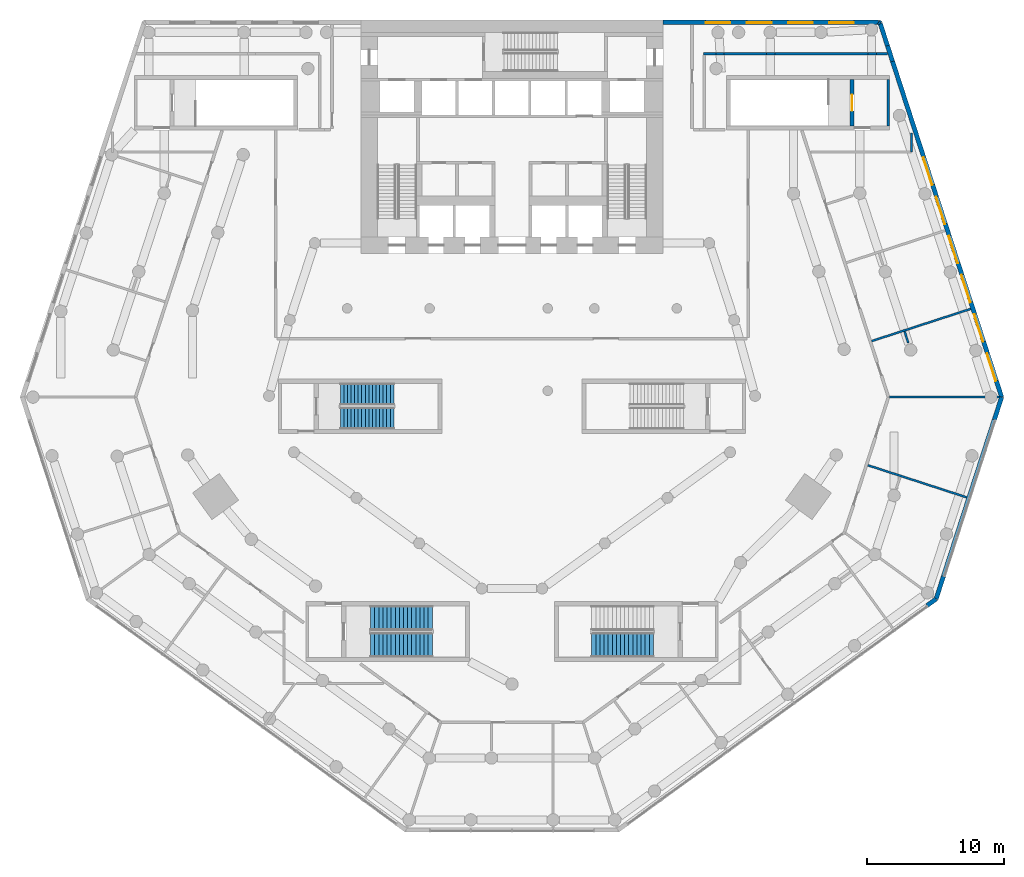
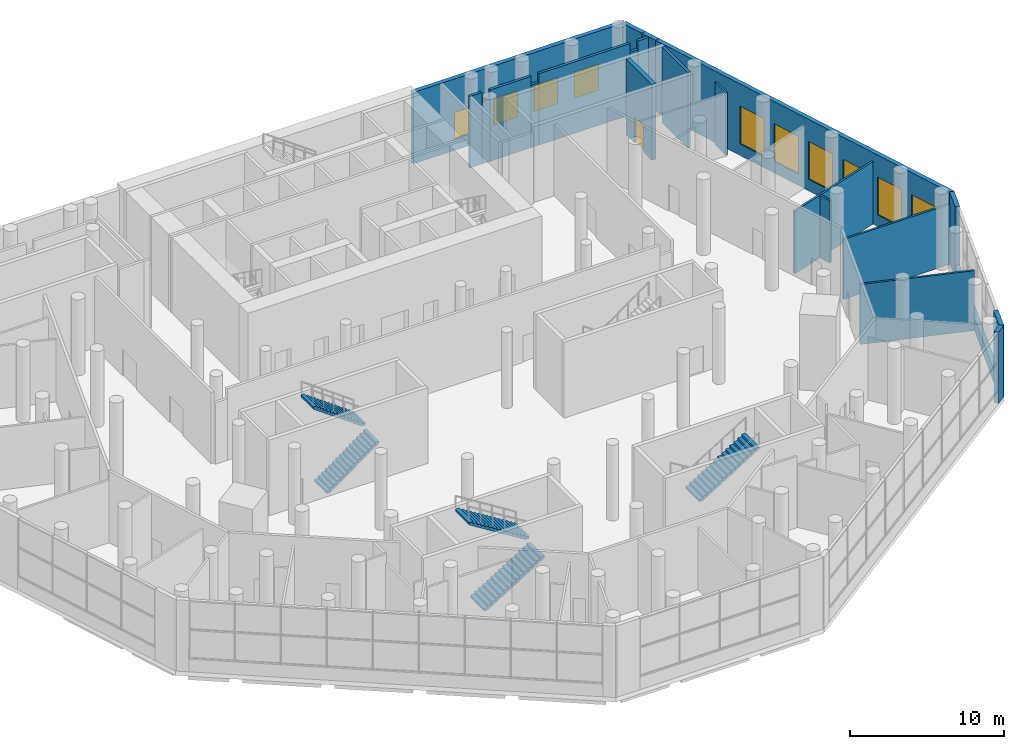
# One storey, part 15 of 19: 23 walls, 10 windows, 5 stair flights, 1 door, 11 openings, 3 elements without a shape of their own.
"""IFC4 building model written with IfcOpenShell, lengths in metres."""

import ifcopenshell
import ifcopenshell.guid

model = None  # the IFC model being written
_history = None  # IfcOwnerHistory: only IFC2X3 demands one
_inside = {}  # id of a spatial element -> (the spatial element, [elements in it])
_under = {}  # id of a project, library or spatial element -> (it, [spatial elements below it])
_declared = {}  # id of a project -> (the project, [libraries it declares])
_typed = {}  # id of a type object -> (the type object, [elements of that type])
_made_of = {}  # id of a material, layer set ... -> (it, [elements and type objects made of it])


def new_model(schema):
    """Start an empty IFC model of exactly this schema.

    Asked for "IFC4X3", IfcOpenShell would pick the latest addendum, in which some entities
    have other attributes; the version numbers below select the first issue.
    IFC2X3 requires an IfcOwnerHistory on every rooted entity: one is made here for all.
    """
    global model, _history
    if schema == "IFC4X3":
        model = ifcopenshell.file(schema_version=(4, 3, 0, 0))
    else:
        model = ifcopenshell.file(schema=schema)
    _inside.clear()
    _under.clear()
    _declared.clear()
    _typed.clear()
    _made_of.clear()
    _history = None
    if model.schema == "IFC2X3":
        org = make("IfcOrganization", Name="unknown")
        user = make(
            "IfcPersonAndOrganization",
            ThePerson=make("IfcPerson", FamilyName="unknown"),
            TheOrganization=org,
        )
        app = make(
            "IfcApplication",
            ApplicationDeveloper=org,
            Version="unknown",
            ApplicationFullName="unknown",
            ApplicationIdentifier="unknown",
        )
        _history = make(
            "IfcOwnerHistory",
            OwningUser=user,
            OwningApplication=app,
            ChangeAction="ADDED",
            CreationDate=0,
        )
    return model


def make(cls, **values):
    """One entity of the class cls with the attributes given. An attribute that is None is left unset."""
    return model.create_entity(
        cls, **{name: value for name, value in values.items() if value is not None}
    )


def rooted(cls, **values):
    """An entity with a GlobalId (a new one), such as an element, a storey or a relation."""
    return make(cls, GlobalId=ifcopenshell.guid.new(), OwnerHistory=_history, **values)


def si_unit(unit_type, name, prefix=None):
    """IfcSIUnit, for example si_unit("LENGTHUNIT", "METRE", prefix="MILLI")."""
    return make("IfcSIUnit", UnitType=unit_type, Prefix=prefix, Name=name)


def assignment(units):
    """IfcUnitAssignment: the units of a project."""
    return None if units is None else make("IfcUnitAssignment", Units=units)


def point(xyz):
    """IfcCartesianPoint."""
    return None if xyz is None else make("IfcCartesianPoint", Coordinates=xyz)


def direction(xyz):
    """IfcDirection."""
    return None if xyz is None else make("IfcDirection", DirectionRatios=xyz)


def frame(location, z_axis=None, x_axis=None):
    """IfcAxis2Placement3D, a coordinate frame: its origin and axes. An axis left out is left unset."""
    return make(
        "IfcAxis2Placement3D",
        Location=point(location),
        Axis=direction(z_axis),
        RefDirection=direction(x_axis),
    )


def frame_2d(location, x_axis=None):
    """IfcAxis2Placement2D, a coordinate frame in the plane: its origin and x axis."""
    return make(
        "IfcAxis2Placement2D", Location=point(location), RefDirection=direction(x_axis)
    )


def origin():
    """The frame at (0, 0, 0) with its axes left unset."""
    return frame((0.0, 0.0, 0.0))


def place(relative_to, where):
    """IfcLocalPlacement: puts the frame where relative to a parent placement (None: the world)."""
    return make(
        "IfcLocalPlacement", PlacementRelTo=relative_to, RelativePlacement=where
    )


def context(
    kind, dimensions, precision=None, world=None, true_north=None, identifier=None
):
    """IfcGeometricRepresentationContext, for example the 3D "Model" context."""
    return make(
        "IfcGeometricRepresentationContext",
        ContextIdentifier=identifier,
        ContextType=kind,
        CoordinateSpaceDimension=dimensions,
        Precision=precision,
        WorldCoordinateSystem=world,
        TrueNorth=true_north,
    )


def subcontext(parent, identifier, kind, view, scale=None):
    """IfcGeometricRepresentationSubContext, for example "Body" below "Model"."""
    return make(
        "IfcGeometricRepresentationSubContext",
        ContextIdentifier=identifier,
        ContextType=kind,
        ParentContext=parent,
        TargetScale=scale,
        TargetView=view,
    )


def project(units=None, contexts=None):
    """IfcProject with its units and contexts."""
    return rooted(
        "IfcProject",
        Name="project",
        RepresentationContexts=contexts,
        UnitsInContext=assignment(units),
    )


def spatial(cls, under=None, at=None, **own):
    """A site, building, storey or space (cls), placed at a placement, below another one or the project."""
    s = rooted(cls, ObjectPlacement=at, **own)
    if under is not None:
        _under.setdefault(under.id(), (under, []))[1].append(s)
    return s


def polyline(points):
    """IfcPolyline through the points."""
    return make("IfcPolyline", Points=[point(p) for p in points])


def profile(cls, at=None, kind="AREA", **sizes):
    """A parametric profile (cls). Its sizes go by their IFC names, for example OverallWidth=200.0."""
    return make(cls, ProfileType=kind, Position=at, **sizes)


def rectangle(**sizes):
    """IfcRectangleProfileDef."""
    return profile("IfcRectangleProfileDef", **sizes)


def outline(outer, holes=None, kind="AREA"):
    """IfcArbitraryClosedProfileDef: a profile drawn as a closed curve; with holes, ...WithVoids."""
    if holes is None:
        return make("IfcArbitraryClosedProfileDef", ProfileType=kind, OuterCurve=outer)
    return make(
        "IfcArbitraryProfileDefWithVoids",
        ProfileType=kind,
        OuterCurve=outer,
        InnerCurves=holes,
    )


def extrude(swept, where, along, depth):
    """IfcExtrudedAreaSolid: the profile swept, set in the frame where, extruded along a direction by depth."""
    return make(
        "IfcExtrudedAreaSolid",
        SweptArea=swept,
        Position=where,
        ExtrudedDirection=direction(along),
        Depth=depth,
    )


def shape(context_of_items, identifier, shape_type, items):
    """IfcShapeRepresentation: the items that make up one representation, for example the "Body"."""
    return make(
        "IfcShapeRepresentation",
        ContextOfItems=context_of_items,
        RepresentationIdentifier=identifier,
        RepresentationType=shape_type,
        Items=items,
    )


def material(Name=None, Category=None):
    """IfcMaterial."""
    return make("IfcMaterial", Name=Name, Category=Category)


def layer(
    of_material, thickness, ventilated=None, Name=None, Category=None, Priority=None
):
    """IfcMaterialLayer: one layer of a wall or slab, of a material (None: an air gap)."""
    return make(
        "IfcMaterialLayer",
        Material=of_material,
        LayerThickness=thickness,
        IsVentilated=ventilated,
        Name=Name,
        Category=Category,
        Priority=Priority,
    )


def layer_set(layers, Name=None):
    """IfcMaterialLayerSet."""
    return make("IfcMaterialLayerSet", MaterialLayers=layers, LayerSetName=Name)


def made_of(thing, what):
    """Note that an element or type object is made of a material, layer set ...; save() writes the relation."""
    if what is not None:
        _made_of.setdefault(what.id(), (what, []))[1].append(thing)
    return thing


def type_object(cls, material=None, **own):
    """A type object (cls), such as IfcWallType, which elements share."""
    return made_of(rooted(cls, **own), material)


def element(
    cls,
    number,
    at=None,
    inside=None,
    cuts=None,
    type_object=None,
    material=None,
    context=None,
    identifier="Body",
    shape_type=None,
    held_by="IfcProductDefinitionShape",
    body=None,
    shapes=None,
    **own,
):
    """One element of the class cls, such as IfcWall. Its Tag is "e" and its number.

    at: its placement. inside: the storey or other place that contains it. cuts: it is an
    opening in that element (IfcRelVoidsElement). A single representation is given by context,
    identifier, shape_type and body (its items); several are given by shapes. held_by: the class
    of the entity that holds the representations. save() writes the other relations.
    """
    e = rooted(cls, Tag="e%d" % number, ObjectPlacement=at, **own)
    if body is not None:
        shapes = [shape(context, identifier, shape_type, body)]
    if shapes is not None:
        e.Representation = make(held_by, Representations=shapes)
    if inside is not None:
        _inside.setdefault(inside.id(), (inside, []))[1].append(e)
    if cuts is not None:
        rooted(
            "IfcRelVoidsElement", RelatingBuildingElement=cuts, RelatedOpeningElement=e
        )
    if type_object is not None:
        _typed.setdefault(type_object.id(), (type_object, []))[1].append(e)
    return made_of(e, material)


def fill(opening, filler):
    """IfcRelFillsElement: the door or window that sits in an opening."""
    return rooted(
        "IfcRelFillsElement",
        RelatingOpeningElement=opening,
        RelatedBuildingElement=filler,
    )


def aggregate(whole, parts):
    """IfcRelAggregates: a whole, such as a stair, and the parts it consists of."""
    return rooted("IfcRelAggregates", RelatingObject=whole, RelatedObjects=parts)


def save(model, path):
    """Write the relations noted so far, then the file.

    IfcRelAggregates (storeys below a building ...), IfcRelContainedInSpatialStructure (elements
    in a storey), IfcRelDefinesByType, IfcRelAssociatesMaterial and IfcRelDeclares: one each for
    every whole, place, type object, material and project.
    """
    for whole, parts in _under.values():
        aggregate(whole, parts)
    for where, things in _inside.values():
        rooted(
            "IfcRelContainedInSpatialStructure",
            RelatedElements=things,
            RelatingStructure=where,
        )
    for kind, things in _typed.values():
        rooted("IfcRelDefinesByType", RelatedObjects=things, RelatingType=kind)
    for what, things in _made_of.values():
        rooted("IfcRelAssociatesMaterial", RelatedObjects=things, RelatingMaterial=what)
    for by, libraries in _declared.values():
        rooted("IfcRelDeclares", RelatingContext=by, RelatedDefinitions=libraries)
    model.write(path)


model = new_model("IFC4")

# Units and contexts
model_context = context("Model", 3, precision=1e-05, world=origin(), true_north=direction((0.0, 1.0)))
body_context = subcontext(model_context, "Body", "Model", "MODEL_VIEW")
ifc_project = project(units=[si_unit("LENGTHUNIT", "METRE"), si_unit("AREAUNIT", "SQUARE_METRE"), si_unit("VOLUMEUNIT", "CUBIC_METRE"), si_unit("PLANEANGLEUNIT", "RADIAN"), si_unit("MASSUNIT", "GRAM", prefix="KILO")], contexts=[model_context])

# Site, building, storey
site_placement = place(None, origin())
site = spatial("IfcSite", under=ifc_project, at=site_placement, CompositionType="ELEMENT")
building_placement = place(site_placement, origin())
building = spatial("IfcBuilding", under=site, at=building_placement, Name="White Candle Pilgrim Tower", CompositionType="ELEMENT")
storey_placement = place(building_placement, frame((0.0, 0.0, 23.0)))
storey = spatial("IfcBuildingStorey", under=building, at=storey_placement, Name="L03", CompositionType="ELEMENT", Elevation=23.0)

# Walls
ifc_material_1 = material(Name="Autoclaved aerated block D500, plastered")
ifc_layer_1 = layer(ifc_material_1, 0.199951171875)
ifc_layer_set_1 = layer_set([ifc_layer_1], Name="Compartment wall 200 mm REI 240")
wall_type_1 = type_object("IfcWallType", Name="Compartment wall 200 mm REI 240", PredefinedType="PARTITIONING", material=ifc_layer_set_1)
wall_1_placement = place(storey_placement, frame((97.326904296875, 85.550048828125, 0.0), z_axis=(0.0, 0.0, 1.0), x_axis=(-1.0, 0.0, 0.0)))
element("IfcWall", 1, at=wall_1_placement, inside=storey, type_object=wall_type_1, Name="WL-L03-P059", PredefinedType="PARTITIONING", context=body_context, shape_type="SweptSolid", body=[
    extrude(rectangle(XDim=0.79931640625, YDim=0.199951171875, at=frame_2d((0.399658203125, 0.0))), origin(), (0.0, 0.0, 1.0), 5.64990234375),
])
wall_2_placement = place(storey_placement, frame((96.527587890625, 85.550048828125, 0.0), z_axis=(0.0, 0.0, 1.0), x_axis=(-1.0, 0.0, 0.0)))
element("IfcWall", 2, at=wall_2_placement, inside=storey, type_object=wall_type_1, Name="WL-L03-P059a", PredefinedType="PARTITIONING", context=body_context, shape_type="SweptSolid", body=[
    extrude(rectangle(XDim=0.599365234375, YDim=0.199951171875, at=frame_2d((0.2998046875, 0.0))), origin(), (0.0, 0.0, 1.0), 4.949951171875),
])
wall_3_placement = place(storey_placement, frame((95.92822265625, 85.550048828125, 0.0), z_axis=(0.0, 0.0, 1.0), x_axis=(-1.0, 0.0, 0.0)))
element("IfcWall", 3, at=wall_3_placement, inside=storey, type_object=wall_type_1, Name="WL-L03-P059b", PredefinedType="PARTITIONING", context=body_context, shape_type="SweptSolid", body=[
    extrude(rectangle(XDim=6.793212890625, YDim=0.199951171875, at=frame_2d((3.396484375, 0.0))), origin(), (0.0, 0.0, 1.0), 5.64990234375),
])
wall_4_placement = place(storey_placement, frame((89.135009765625, 85.550048828125, 0.0), z_axis=(0.0, 0.0, 1.0), x_axis=(-1.0, 0.0, 0.0)))
element("IfcWall", 4, at=wall_4_placement, inside=storey, type_object=wall_type_1, Name="WL-L03-P059c", PredefinedType="PARTITIONING", context=body_context, shape_type="SweptSolid", body=[
    extrude(rectangle(XDim=0.599609375, YDim=0.199951171875, at=frame_2d((0.2998046875, 0.0))), origin(), (0.0, 0.0, 1.0), 4.949951171875),
])
wall_5_placement = place(storey_placement, frame((88.535400390625, 85.550048828125, 0.0), z_axis=(0.0, 0.0, 1.0), x_axis=(-1.0, 0.0, 0.0)))
element("IfcWall", 5, at=wall_5_placement, inside=storey, type_object=wall_type_1, Name="WL-L03-P059d", PredefinedType="PARTITIONING", context=body_context, shape_type="SweptSolid", body=[
    extrude(rectangle(XDim=3.096923828125, YDim=0.199951171875, at=frame_2d((1.54833984375, 0.0))), origin(), (0.0, 0.0, 1.0), 5.64990234375),
])
wall_6_placement = place(storey_placement, frame((85.4384765625, 85.550048828125, 0.0), z_axis=(0.0, 0.0, 1.0), x_axis=(-1.0, 0.0, 0.0)))
element("IfcWall", 6, at=wall_6_placement, inside=storey, type_object=wall_type_1, Name="WL-L03-P059e", PredefinedType="PARTITIONING", context=body_context, shape_type="SweptSolid", body=[
    extrude(rectangle(XDim=0.599365234375, YDim=0.199951171875, at=frame_2d((0.2998046875, 0.0))), origin(), (0.0, 0.0, 1.0), 4.949951171875),
])
wall_7_placement = place(storey_placement, frame((84.839111328125, 85.550048828125, 0.0), z_axis=(0.0, 0.0, 1.0), x_axis=(-1.0, 0.0, 0.0)))
element("IfcWall", 7, at=wall_7_placement, inside=storey, type_object=wall_type_1, Name="WL-L03-P059f", PredefinedType="PARTITIONING", context=body_context, shape_type="SweptSolid", body=[
    extrude(rectangle(XDim=0.899169921875, YDim=0.199951171875, at=frame_2d((0.44970703125, 0.0))), origin(), (0.0, 0.0, 1.0), 5.64990234375),
])
ifc_material_2 = material(Name="Concrete C70/85", Category="concrete")
ifc_layer_2 = layer(ifc_material_2, 0.199951171875)
ifc_layer_set_2 = layer_set([ifc_layer_2], Name="Core wall 200 mm Concrete C70/85")
wall_type_2 = type_object("IfcWallType", Name="Core wall 200 mm Concrete C70/85", PredefinedType="SHEAR", material=ifc_layer_set_2)
wall_8_placement = place(storey_placement, frame((97.39990234375, 80.300048828125, 0.0), z_axis=(0.0, 0.0, 1.0), x_axis=(0.0, 1.0, 0.0)))
element("IfcWall", 8, at=wall_8_placement, inside=storey, type_object=wall_type_2, Name="WL-L03-C49", PredefinedType="SHEAR", context=body_context, shape_type="SweptSolid", body=[
    extrude(rectangle(XDim=3.349853515625, YDim=0.199951171875, at=frame_2d((1.6748046875, 0.0))), origin(), (0.0, 0.0, 1.0), 6.0),
])
ifc_material_3 = material(Name="Precast concrete C40/50", Category="concrete")
ifc_layer_3 = layer(ifc_material_3, 0.320068359375)
ifc_layer_set_3 = layer_set([ifc_layer_3], Name="Facade wall EW3 precast concrete C40/50 and stone-faced podium wall")
wall_type_3 = type_object("IfcWallType", Name="Facade wall EW3 precast concrete C40/50 and stone-faced podium wall", PredefinedType="SOLIDWALL", material=ifc_layer_set_3)
wall_9_placement = place(storey_placement, frame((100.224609375, 45.366943359375, 0.0), z_axis=(0.0, 0.0, 1.0), x_axis=(0.808957761835, 0.587866770252, 0.0)))
element("IfcWall", 9, at=wall_9_placement, inside=storey, type_object=wall_type_3, Name="Facade wall L03 SE", PredefinedType="SOLIDWALL", context=body_context, shape_type="SweptSolid", body=[
    extrude(rectangle(XDim=0.809326171875, YDim=0.320068359375, at=frame_2d((0.40478515625, 0.0))), origin(), (0.0, 0.0, 1.0), 5.64990234375),
])
wall_10_placement = place(storey_placement, frame((100.87939453125, 45.8427734375, 0.0), z_axis=(0.0, 0.0, 1.0), x_axis=(0.309006126888, 0.951060047287, 0.0)))
element("IfcWall", 10, at=wall_10_placement, inside=storey, type_object=wall_type_3, Name="Facade wall L03 E chamfer", PredefinedType="SOLIDWALL", context=body_context, shape_type="SweptSolid", body=[
    extrude(rectangle(XDim=1.726318359375, YDim=0.320068359375, at=frame_2d((0.86328125, 0.0))), origin(), (0.0, 0.0, 1.0), 5.64990234375),
])
wall_11_placement = place(storey_placement, frame((101.412841796875, 47.484619140625, 0.0), z_axis=(0.0, 0.0, 1.0), x_axis=(0.309022586479, 0.951054699292, 0.0)))
element("IfcWall", 11, at=wall_11_placement, inside=storey, type_object=wall_type_3, Name="Sill wall L03 E chamfer", PredefinedType="SOLIDWALL", context=body_context, shape_type="SweptSolid", body=[
    extrude(rectangle(XDim=12.0, YDim=0.320068359375, at=frame_2d((6.0, 0.0))), origin(), (0.0, 0.0, 1.0), 1.0),
])
wall_12_placement = place(storey_placement, frame((105.12109375, 58.897216796875, 0.0), z_axis=(0.0, 0.0, 1.0), x_axis=(0.309006126888, 0.951060047287, 0.0)))
element("IfcWall", 12, at=wall_12_placement, inside=storey, type_object=wall_type_3, Name="Facade wall L03 E chamfer", PredefinedType="SOLIDWALL", context=body_context, shape_type="SweptSolid", body=[
    extrude(rectangle(XDim=1.726318359375, YDim=0.320068359375, at=frame_2d((0.86328125, 0.0))), origin(), (0.0, 0.0, 1.0), 5.64990234375),
])

# Wall, openings, windows
wall_13_placement = place(storey_placement, frame((105.654541015625, 60.5390625, 0.0), z_axis=(0.0, 0.0, 1.0), x_axis=(-0.309020996945, 0.951055215772, 0.0)))
wall_13 = element("IfcWall", 13, at=wall_13_placement, inside=storey, type_object=wall_type_3, Name="Facade wall L03 ENE", PredefinedType="SOLIDWALL", context=body_context, shape_type="SweptSolid", body=[
    extrude(rectangle(XDim=25.7041015625, YDim=0.320068359375, at=frame_2d((12.85205078125, 0.0))), origin(), (0.0, 0.0, 1.0), 5.64990234375),
])
opening_1_placement = place(wall_13_placement, frame((1.25927734375, 0.0, 0.89990234375)))
opening_1 = element("IfcOpeningElement", 14, at=opening_1_placement, cuts=wall_13, Name="Opening W7", PredefinedType="OPENING", context=body_context, shape_type="SweptSolid", body=[
    extrude(rectangle(XDim=2.10009765625, YDim=3.0, at=frame_2d((1.050048828125, 1.5))), frame((0.0, 0.169921875, 0.0), z_axis=(0.0, -1.0, 0.0), x_axis=(1.0, 0.0, 0.0)), (0.0, 0.0, 1.0), 0.340087890625),
])
opening_2_placement = place(wall_13_placement, frame((4.25927734375, 0.0, 0.89990234375)))
opening_2 = element("IfcOpeningElement", 15, at=opening_2_placement, cuts=wall_13, Name="Opening W7", PredefinedType="OPENING", context=body_context, shape_type="SweptSolid", body=[
    extrude(rectangle(XDim=2.10009765625, YDim=3.0, at=frame_2d((1.050048828125, 1.5))), frame((0.0, 0.169921875, 0.0), z_axis=(0.0, -1.0, 0.0), x_axis=(1.0, 0.0, 0.0)), (0.0, 0.0, 1.0), 0.340087890625),
])
opening_3_placement = place(wall_13_placement, frame((7.25927734375, 0.0, 0.89990234375)))
opening_3 = element("IfcOpeningElement", 16, at=opening_3_placement, cuts=wall_13, Name="Opening W7", PredefinedType="OPENING", context=body_context, shape_type="SweptSolid", body=[
    extrude(rectangle(XDim=2.10009765625, YDim=3.0, at=frame_2d((1.050048828125, 1.5))), frame((0.0, 0.169921875, 0.0), z_axis=(0.0, -1.0, 0.0), x_axis=(1.0, 0.0, 0.0)), (0.0, 0.0, 1.0), 0.340087890625),
])
opening_4_placement = place(wall_13_placement, frame((10.25927734375, 0.0, 0.89990234375)))
opening_4 = element("IfcOpeningElement", 17, at=opening_4_placement, cuts=wall_13, Name="Opening W7", PredefinedType="OPENING", context=body_context, shape_type="SweptSolid", body=[
    extrude(rectangle(XDim=2.10009765625, YDim=3.0, at=frame_2d((1.050048828125, 1.5))), frame((0.0, 0.169921875, 0.0), z_axis=(0.0, -1.0, 0.0), x_axis=(1.0, 0.0, 0.0)), (0.0, 0.0, 1.0), 0.340087890625),
])
opening_5_placement = place(wall_13_placement, frame((13.25927734375, 0.0, 0.89990234375)))
opening_5 = element("IfcOpeningElement", 18, at=opening_5_placement, cuts=wall_13, Name="Opening W7", PredefinedType="OPENING", context=body_context, shape_type="SweptSolid", body=[
    extrude(rectangle(XDim=2.10009765625, YDim=3.0, at=frame_2d((1.050048828125, 1.5))), frame((0.0, 0.169921875, 0.0), z_axis=(0.0, -1.0, 0.0), x_axis=(1.0, 0.0, 0.0)), (0.0, 0.0, 1.0), 0.340087890625),
])
opening_6_placement = place(wall_13_placement, frame((16.25927734375, 0.0, 0.89990234375)))
opening_6 = element("IfcOpeningElement", 19, at=opening_6_placement, cuts=wall_13, Name="Opening W7", PredefinedType="OPENING", context=body_context, shape_type="SweptSolid", body=[
    extrude(rectangle(XDim=2.10009765625, YDim=3.0, at=frame_2d((1.050048828125, 1.5))), frame((0.0, 0.169921875, 0.0), z_axis=(0.0, -1.0, 0.0), x_axis=(1.0, 0.0, 0.0)), (0.0, 0.0, 1.0), 0.340087890625),
])
ifc_material_4 = material(Name="Timber frame with triple glazing", Category="wood")
window_type_1 = type_object("IfcWindowType", Name="Window W7 2100x3000 timber frame triple glazing", PartitioningType="SINGLE_PANEL", PredefinedType="WINDOW", material=ifc_material_4)
window_1_placement = place(opening_1_placement, origin())
window_1 = element("IfcWindow", 20, at=window_1_placement, inside=storey, type_object=window_type_1, Name="Window W7 L03 ENE 1", OverallHeight=3.0, OverallWidth=2.10009765625, PartitioningType="SINGLE_PANEL", PredefinedType="WINDOW", context=body_context, shape_type="SweptSolid", body=[
    extrude(rectangle(XDim=2.10009765625, YDim=3.0, at=frame_2d((1.050048828125, 1.5))), frame((0.0, 0.070068359375, 0.0), z_axis=(0.0, -1.0, 0.0), x_axis=(1.0, 0.0, 0.0)), (0.0, 0.0, 1.0), 0.06005859375),
])
fill(opening_1, window_1)
window_2_placement = place(opening_2_placement, origin())
window_2 = element("IfcWindow", 21, at=window_2_placement, inside=storey, type_object=window_type_1, Name="Window W7 L03 ENE 2", OverallHeight=3.0, OverallWidth=2.10009765625, PartitioningType="SINGLE_PANEL", PredefinedType="WINDOW", context=body_context, shape_type="SweptSolid", body=[
    extrude(rectangle(XDim=2.10009765625, YDim=3.0, at=frame_2d((1.050048828125, 1.5))), frame((0.0, 0.070068359375, 0.0), z_axis=(0.0, -1.0, 0.0), x_axis=(1.0, 0.0, 0.0)), (0.0, 0.0, 1.0), 0.06005859375),
])
fill(opening_2, window_2)
window_3_placement = place(opening_3_placement, origin())
window_3 = element("IfcWindow", 22, at=window_3_placement, inside=storey, type_object=window_type_1, Name="Window W7 L03 ENE 3", OverallHeight=3.0, OverallWidth=2.10009765625, PartitioningType="SINGLE_PANEL", PredefinedType="WINDOW", context=body_context, shape_type="SweptSolid", body=[
    extrude(rectangle(XDim=2.10009765625, YDim=3.0, at=frame_2d((1.050048828125, 1.5))), frame((0.0, 0.070068359375, 0.0), z_axis=(0.0, -1.0, 0.0), x_axis=(1.0, 0.0, 0.0)), (0.0, 0.0, 1.0), 0.06005859375),
])
fill(opening_3, window_3)
window_4_placement = place(opening_4_placement, origin())
window_4 = element("IfcWindow", 23, at=window_4_placement, inside=storey, type_object=window_type_1, Name="Window W7 L03 ENE 4", OverallHeight=3.0, OverallWidth=2.10009765625, PartitioningType="SINGLE_PANEL", PredefinedType="WINDOW", context=body_context, shape_type="SweptSolid", body=[
    extrude(rectangle(XDim=2.10009765625, YDim=3.0, at=frame_2d((1.050048828125, 1.5))), frame((0.0, 0.070068359375, 0.0), z_axis=(0.0, -1.0, 0.0), x_axis=(1.0, 0.0, 0.0)), (0.0, 0.0, 1.0), 0.06005859375),
])
fill(opening_4, window_4)
window_5_placement = place(opening_5_placement, origin())
window_5 = element("IfcWindow", 24, at=window_5_placement, inside=storey, type_object=window_type_1, Name="Window W7 L03 ENE 5", OverallHeight=3.0, OverallWidth=2.10009765625, PartitioningType="SINGLE_PANEL", PredefinedType="WINDOW", context=body_context, shape_type="SweptSolid", body=[
    extrude(rectangle(XDim=2.10009765625, YDim=3.0, at=frame_2d((1.050048828125, 1.5))), frame((0.0, 0.070068359375, 0.0), z_axis=(0.0, -1.0, 0.0), x_axis=(1.0, 0.0, 0.0)), (0.0, 0.0, 1.0), 0.06005859375),
])
fill(opening_5, window_5)
window_6_placement = place(opening_6_placement, origin())
window_6 = element("IfcWindow", 25, at=window_6_placement, inside=storey, type_object=window_type_1, Name="Window W7 L03 ENE 6", OverallHeight=3.0, OverallWidth=2.10009765625, PartitioningType="SINGLE_PANEL", PredefinedType="WINDOW", context=body_context, shape_type="SweptSolid", body=[
    extrude(rectangle(XDim=2.10009765625, YDim=3.0, at=frame_2d((1.050048828125, 1.5))), frame((0.0, 0.070068359375, 0.0), z_axis=(0.0, -1.0, 0.0), x_axis=(1.0, 0.0, 0.0)), (0.0, 0.0, 1.0), 0.06005859375),
])
fill(opening_6, window_6)

# Walls
wall_14_placement = place(storey_placement, frame((97.3408203125, 86.12646484375, 0.0), z_axis=(0.0, 0.0, 1.0), x_axis=(-0.309127927673, 0.951020464729, 0.0)))
element("IfcWall", 26, at=wall_14_placement, inside=storey, type_object=wall_type_3, Name="Facade wall L03 ENE", PredefinedType="SOLIDWALL", context=body_context, shape_type="SweptSolid", body=[
    extrude(rectangle(XDim=1.714599609375, YDim=0.320068359375, at=frame_2d((0.857421875, 0.0))), origin(), (0.0, 0.0, 1.0), 5.64990234375),
])
wall_15_placement = place(storey_placement, frame((96.810791015625, 87.757080078125, 0.0), z_axis=(0.0, 0.0, 1.0), x_axis=(-0.808436541228, 0.588583349074, 0.0)))
element("IfcWall", 27, at=wall_15_placement, inside=storey, type_object=wall_type_3, Name="Facade wall L03 NE chamfer", PredefinedType="SOLIDWALL", context=body_context, shape_type="SweptSolid", body=[
    extrude(rectangle(XDim=0.14111328125, YDim=0.320068359375, at=frame_2d((0.070556640625, 0.0))), origin(), (0.0, 0.0, 1.0), 5.64990234375),
])

# Wall, openings, windows
wall_16_placement = place(storey_placement, frame((96.69677734375, 87.840087890625, 0.0), z_axis=(0.0, 0.0, 1.0), x_axis=(-1.0, 0.0, 0.0)))
wall_16 = element("IfcWall", 28, at=wall_16_placement, inside=storey, type_object=wall_type_3, Name="Facade wall L03 N", PredefinedType="SOLIDWALL", context=body_context, shape_type="SweptSolid", body=[
    extrude(rectangle(XDim=15.69677734375, YDim=0.320068359375, at=frame_2d((7.848388671875, 0.0))), origin(), (0.0, 0.0, 1.0), 5.64990234375),
])
opening_7_placement = place(wall_16_placement, frame((1.796630859375, 0.0, 0.89990234375)))
opening_7 = element("IfcOpeningElement", 29, at=opening_7_placement, cuts=wall_16, Name="Opening W8", PredefinedType="OPENING", context=body_context, shape_type="SweptSolid", body=[
    extrude(rectangle(XDim=1.800048828125, YDim=2.10009765625, at=frame_2d((0.89990234375, 1.050048828125))), frame((0.0, 0.169921875, 0.0), z_axis=(0.0, -1.0, 0.0), x_axis=(1.0, 0.0, 0.0)), (0.0, 0.0, 1.0), 0.340087890625),
])
opening_8_placement = place(wall_16_placement, frame((4.796630859375, 0.0, 0.89990234375)))
opening_8 = element("IfcOpeningElement", 30, at=opening_8_placement, cuts=wall_16, Name="Opening W8", PredefinedType="OPENING", context=body_context, shape_type="SweptSolid", body=[
    extrude(rectangle(XDim=1.800048828125, YDim=2.10009765625, at=frame_2d((0.89990234375, 1.050048828125))), frame((0.0, 0.169921875, 0.0), z_axis=(0.0, -1.0, 0.0), x_axis=(1.0, 0.0, 0.0)), (0.0, 0.0, 1.0), 0.340087890625),
])
opening_9_placement = place(wall_16_placement, frame((7.796630859375, 0.0, 0.89990234375)))
opening_9 = element("IfcOpeningElement", 31, at=opening_9_placement, cuts=wall_16, Name="Opening W8", PredefinedType="OPENING", context=body_context, shape_type="SweptSolid", body=[
    extrude(rectangle(XDim=1.800048828125, YDim=2.10009765625, at=frame_2d((0.89990234375, 1.050048828125))), frame((0.0, 0.169921875, 0.0), z_axis=(0.0, -1.0, 0.0), x_axis=(1.0, 0.0, 0.0)), (0.0, 0.0, 1.0), 0.340087890625),
])
opening_10_placement = place(wall_16_placement, frame((10.796630859375, 0.0, 0.89990234375)))
opening_10 = element("IfcOpeningElement", 32, at=opening_10_placement, cuts=wall_16, Name="Opening W8", PredefinedType="OPENING", context=body_context, shape_type="SweptSolid", body=[
    extrude(rectangle(XDim=1.800048828125, YDim=2.10009765625, at=frame_2d((0.89990234375, 1.050048828125))), frame((0.0, 0.169921875, 0.0), z_axis=(0.0, -1.0, 0.0), x_axis=(1.0, 0.0, 0.0)), (0.0, 0.0, 1.0), 0.340087890625),
])
window_type_2 = type_object("IfcWindowType", Name="Window W8 1800x2100 timber frame triple glazing", PartitioningType="SINGLE_PANEL", PredefinedType="WINDOW", material=ifc_material_4)
window_7_placement = place(opening_7_placement, origin())
window_7 = element("IfcWindow", 33, at=window_7_placement, inside=storey, type_object=window_type_2, Name="Window W8 L03 N 1", OverallHeight=2.10009765625, OverallWidth=1.800048828125, PartitioningType="SINGLE_PANEL", PredefinedType="WINDOW", context=body_context, shape_type="SweptSolid", body=[
    extrude(rectangle(XDim=1.800048828125, YDim=2.10009765625, at=frame_2d((0.89990234375, 1.050048828125))), frame((0.0, 0.070068359375, 0.0), z_axis=(0.0, -1.0, 0.0), x_axis=(1.0, 0.0, 0.0)), (0.0, 0.0, 1.0), 0.06005859375),
])
fill(opening_7, window_7)
window_8_placement = place(opening_8_placement, origin())
window_8 = element("IfcWindow", 34, at=window_8_placement, inside=storey, type_object=window_type_2, Name="Window W8 L03 N 2", OverallHeight=2.10009765625, OverallWidth=1.800048828125, PartitioningType="SINGLE_PANEL", PredefinedType="WINDOW", context=body_context, shape_type="SweptSolid", body=[
    extrude(rectangle(XDim=1.800048828125, YDim=2.10009765625, at=frame_2d((0.89990234375, 1.050048828125))), frame((0.0, 0.070068359375, 0.0), z_axis=(0.0, -1.0, 0.0), x_axis=(1.0, 0.0, 0.0)), (0.0, 0.0, 1.0), 0.06005859375),
])
fill(opening_8, window_8)
window_9_placement = place(opening_9_placement, origin())
window_9 = element("IfcWindow", 35, at=window_9_placement, inside=storey, type_object=window_type_2, Name="Window W8 L03 N 3", OverallHeight=2.10009765625, OverallWidth=1.800048828125, PartitioningType="SINGLE_PANEL", PredefinedType="WINDOW", context=body_context, shape_type="SweptSolid", body=[
    extrude(rectangle(XDim=1.800048828125, YDim=2.10009765625, at=frame_2d((0.89990234375, 1.050048828125))), frame((0.0, 0.070068359375, 0.0), z_axis=(0.0, -1.0, 0.0), x_axis=(1.0, 0.0, 0.0)), (0.0, 0.0, 1.0), 0.06005859375),
])
fill(opening_9, window_9)
window_10_placement = place(opening_10_placement, origin())
window_10 = element("IfcWindow", 36, at=window_10_placement, inside=storey, type_object=window_type_2, Name="Window W8 L03 N 4", OverallHeight=2.10009765625, OverallWidth=1.800048828125, PartitioningType="SINGLE_PANEL", PredefinedType="WINDOW", context=body_context, shape_type="SweptSolid", body=[
    extrude(rectangle(XDim=1.800048828125, YDim=2.10009765625, at=frame_2d((0.89990234375, 1.050048828125))), frame((0.0, 0.070068359375, 0.0), z_axis=(0.0, -1.0, 0.0), x_axis=(1.0, 0.0, 0.0)), (0.0, 0.0, 1.0), 0.06005859375),
])
fill(opening_10, window_10)

# Walls
ifc_layer_4 = layer(ifc_material_3, 0.320068359375)
ifc_layer_set_4 = layer_set([ifc_layer_4], Name="Facade wall EW9 precast concrete C40/50 compartment junction wall EI 120")
wall_type_4 = type_object("IfcWallType", Name="Facade wall EW9 precast concrete C40/50 compartment junction wall EI 120", PredefinedType="SOLIDWALL", material=ifc_layer_set_4)
wall_17_placement = place(storey_placement, frame((97.71142578125, 84.985107421875, 0.0), z_axis=(0.0, 0.0, 1.0), x_axis=(-0.308833046066, 0.951116265058, 0.0)))
element("IfcWall", 37, at=wall_17_placement, inside=storey, type_object=wall_type_4, Name="Facade wall L03 ENE", PredefinedType="SOLIDWALL", context=body_context, shape_type="SweptSolid", body=[
    extrude(rectangle(XDim=1.199951171875, YDim=0.320068359375, at=frame_2d((0.60009765625, 0.0))), origin(), (0.0, 0.0, 1.0), 5.64990234375),
])
ifc_material_5 = material(Name="Gypsum board on steel studs", Category="steel")
ifc_layer_5 = layer(ifc_material_5, 0.14990234375)
ifc_layer_set_5 = layer_set([ifc_layer_5], Name="Partition 150 mm EI 60")
wall_type_5 = type_object("IfcWallType", Name="Partition 150 mm EI 60", PredefinedType="PARTITIONING", material=ifc_layer_set_5)
wall_18_placement = place(storey_placement, frame((105.486328125, 60.539306640625, 0.0), z_axis=(0.0, 0.0, 1.0), x_axis=(-1.0, 0.0, 0.0)))
element("IfcWall", 38, at=wall_18_placement, inside=storey, type_object=wall_type_5, Name="WL-L03-P019", PredefinedType="PARTITIONING", context=body_context, shape_type="SweptSolid", body=[
    extrude(rectangle(XDim=7.990234375, YDim=0.14990234375, at=frame_2d((3.9951171875, 0.0))), origin(), (0.0, 0.0, 1.0), 4.75),
])
wall_19_placement = place(storey_placement, frame((103.11474609375, 53.240478515625, 0.0), z_axis=(0.0, 0.0, 1.0), x_axis=(-0.951058681979, 0.309010329007, 0.0)))
element("IfcWall", 39, at=wall_19_placement, inside=storey, type_object=wall_type_5, Name="WL-L03-P030", PredefinedType="PARTITIONING", context=body_context, shape_type="SweptSolid", body=[
    extrude(rectangle(XDim=7.580078125, YDim=0.14990234375, at=frame_2d((3.7900390625, 0.0))), origin(), (0.0, 0.0, 1.0), 4.75),
])
wall_20_placement = place(storey_placement, frame((103.398193359375, 66.9658203125, 0.0), z_axis=(0.0, 0.0, 1.0), x_axis=(-0.951049215908, -0.309039461753, 0.0)))
element("IfcWall", 40, at=wall_20_placement, inside=storey, type_object=wall_type_5, Name="WL-L03-P031", PredefinedType="PARTITIONING", context=body_context, shape_type="SweptSolid", body=[
    extrude(rectangle(XDim=7.580078125, YDim=0.14990234375, at=frame_2d((3.7900390625, 0.0))), origin(), (0.0, 0.0, 1.0), 4.949951171875),
])
wall_21_placement = place(storey_placement, frame((98.85888671875, 64.481201171875, 0.0), z_axis=(0.0, 0.0, 1.0), x_axis=(-0.30918585584, 0.951001633305, 0.0)))
element("IfcWall", 41, at=wall_21_placement, inside=storey, type_object=wall_type_5, Name="WL-L03-P045", PredefinedType="PARTITIONING", context=body_context, shape_type="SweptSolid", body=[
    extrude(rectangle(XDim=0.88525390625, YDim=0.14990234375, at=frame_2d((0.442626953125, 0.0))), origin(), (0.0, 0.0, 1.0), 4.949951171875),
])
wall_22_placement = place(storey_placement, frame((99.10009765625, 78.39990234375, 0.0), z_axis=(0.0, 0.0, 1.0), x_axis=(0.0, 1.0, 0.0)))
element("IfcWall", 42, at=wall_22_placement, inside=storey, type_object=wall_type_5, Name="WL-L03-P061", PredefinedType="PARTITIONING", context=body_context, shape_type="SweptSolid", body=[
    extrude(rectangle(XDim=1.37353515625, YDim=0.14990234375, at=frame_2d((0.686767578125, 0.0))), origin(), (0.0, 0.0, 1.0), 4.949951171875),
])

# Wall, opening, door
ifc_layer_6 = layer(ifc_material_2, 0.300048828125)
ifc_layer_set_6 = layer_set([ifc_layer_6], Name="Stair shaft wall 300 mm Concrete C70/85")
wall_type_6 = type_object("IfcWallType", Name="Stair shaft wall 300 mm Concrete C70/85", PredefinedType="SHEAR", material=ifc_layer_set_6)
wall_23_placement = place(storey_placement, frame((94.75, 80.300048828125, 0.0), z_axis=(0.0, 0.0, 1.0), x_axis=(0.0, 1.0, 0.0)))
wall_23 = element("IfcWall", 43, at=wall_23_placement, inside=storey, type_object=wall_type_6, Name="WL-L03-C48", PredefinedType="SHEAR", context=body_context, shape_type="SweptSolid", body=[
    extrude(rectangle(XDim=3.349853515625, YDim=0.300048828125, at=frame_2d((1.6748046875, 0.0))), origin(), (0.0, 0.0, 1.0), 6.0),
])
opening_11_placement = place(wall_23_placement, frame((1.074951171875, 0.0, 0.0)))
opening_11 = element("IfcOpeningElement", 44, at=opening_11_placement, cuts=wall_23, Name="Opening L03-018", PredefinedType="OPENING", context=body_context, shape_type="SweptSolid", body=[
    extrude(rectangle(XDim=1.199951171875, YDim=2.10009765625, at=frame_2d((0.60009765625, 1.050048828125))), frame((0.0, 0.159912109375, 0.0), z_axis=(0.0, -1.0, 0.0), x_axis=(1.0, 0.0, 0.0)), (0.0, 0.0, 1.0), 0.320068359375),
])
ifc_material_6 = material(Name="Steel door leaf", Category="steel")
door_type = type_object("IfcDoorType", Name="Fire door 1200 x 2100 EI 60", OperationType="NOTDEFINED", PredefinedType="DOOR", material=ifc_material_6)
door_placement = place(opening_11_placement, origin())
door = element("IfcDoor", 45, at=door_placement, inside=storey, type_object=door_type, Name="Door L03-018", OperationType="SINGLE_SWING_RIGHT", OverallHeight=2.10009765625, OverallWidth=1.199951171875, PredefinedType="DOOR", context=body_context, shape_type="SweptSolid", body=[
    extrude(rectangle(XDim=1.199951171875, YDim=2.10009765625, at=frame_2d((0.60009765625, 1.050048828125))), frame((0.0, 0.02490234375, 0.0), z_axis=(0.0, -1.0, 0.0), x_axis=(1.0, 0.0, 0.0)), (0.0, 0.0, 1.0), 0.050048828125),
])
fill(opening_11, door)

# Stair, stair flights
ifc_material_7 = material(Name="Concrete C40/50", Category="concrete")
stair_type_1 = type_object("IfcStairType", Name="Exit stair 5 flight width 1600 mm", PredefinedType="HALF_TURN_STAIR", material=ifc_material_7)
stair_1_placement = place(storey_placement, origin())
stair_1 = element("IfcStair", 46, at=stair_1_placement, inside=storey, type_object=stair_type_1, Name="L03 stair 5", PredefinedType="NOTDEFINED")
ifc_layer_7 = layer(ifc_material_7, 0.14990234375)
ifc_layer_set_7 = layer_set([ifc_layer_7], Name="Stair flight Concrete C40/50")
stair_flight_type = type_object("IfcStairFlightType", Name="Stair flight Concrete C40/50", PredefinedType="STRAIGHT", material=ifc_layer_set_7)
stair_flight_1_placement = place(storey_placement, frame((57.5, 59.0, 0.0), z_axis=(0.0, 0.0, 1.0), x_axis=(1.0, 0.0, 0.0)))
stair_flight_1 = element("IfcStairFlight", 47, at=stair_flight_1_placement, type_object=stair_flight_type, Name="ST5 flight 1", NumberOfRisers=16, NumberOfTreads=15, PredefinedType="NOTDEFINED", RiserHeight=0.1875, TreadLength=0.26, context=body_context, shape_type="SweptSolid", body=[
    extrude(outline(polyline([(0.0, 0.0), (0.0, 0.1875), (0.260009765625, 0.1875), (0.260009765625, 0.375), (0.52001953125, 0.375), (0.52001953125, 0.5625), (0.780029296875, 0.5625), (0.780029296875, 0.75), (1.0400390625, 0.75), (1.0400390625, 0.9375), (1.300048828125, 0.9375), (1.300048828125, 1.125), (1.56005859375, 1.125), (1.56005859375, 1.3125), (1.820068359375, 1.3125), (1.820068359375, 1.5), (2.080078125, 1.5), (2.080078125, 1.6875), (2.340087890625, 1.6875), (2.340087890625, 1.875), (2.60009765625, 1.875), (2.60009765625, 2.0625), (2.860107421875, 2.0625), (2.860107421875, 2.25), (3.1201171875, 2.25), (3.1201171875, 2.4375), (3.3798828125, 2.4375), (3.3798828125, 2.625), (3.639892578125, 2.625), (3.639892578125, 2.8125), (3.89990234375, 2.8125), (3.89990234375, 3.0), (3.89990234375, 2.627685546875), (0.25634765625, 0.0), (0.0, 0.0)])), frame((0.0, 0.800048828125, 0.0), z_axis=(0.0, -1.0, 0.0), x_axis=(1.0, 0.0, 0.0)), (0.0, 0.0, 1.0), 1.60009765625),
])
stair_flight_2_placement = place(storey_placement, frame((61.39990234375, 60.75, 3.0), z_axis=(0.0, 0.0, 1.0), x_axis=(-1.0, 0.0, 0.0)))
stair_flight_2 = element("IfcStairFlight", 48, at=stair_flight_2_placement, type_object=stair_flight_type, Name="ST5 flight 2", NumberOfRisers=16, NumberOfTreads=15, PredefinedType="NOTDEFINED", RiserHeight=0.1875, TreadLength=0.26, context=body_context, shape_type="SweptSolid", body=[
    extrude(outline(polyline([(0.0, 0.0), (0.0, 0.1875), (0.260009765625, 0.1875), (0.260009765625, 0.375), (0.52001953125, 0.375), (0.52001953125, 0.5625), (0.780029296875, 0.5625), (0.780029296875, 0.75), (1.0400390625, 0.75), (1.0400390625, 0.9375), (1.300048828125, 0.9375), (1.300048828125, 1.125), (1.56005859375, 1.125), (1.56005859375, 1.3125), (1.820068359375, 1.3125), (1.820068359375, 1.5), (2.080078125, 1.5), (2.080078125, 1.6875), (2.340087890625, 1.6875), (2.340087890625, 1.875), (2.60009765625, 1.875), (2.60009765625, 2.0625), (2.860107421875, 2.0625), (2.860107421875, 2.25), (3.1201171875, 2.25), (3.1201171875, 2.4375), (3.3798828125, 2.4375), (3.3798828125, 2.625), (3.639892578125, 2.625), (3.639892578125, 2.8125), (3.89990234375, 2.8125), (3.89990234375, 3.0), (3.89990234375, 2.627685546875), (0.25634765625, 0.0), (0.0, 0.0)])), frame((0.0, 0.800048828125, 0.0), z_axis=(0.0, -1.0, 0.0), x_axis=(1.0, 0.0, 0.0)), (0.0, 0.0, 1.0), 1.60009765625),
])
aggregate(stair_1, [stair_flight_1, stair_flight_2])

stair_type_2 = type_object("IfcStairType", Name="Exit stair 6 flight width 1800 mm", PredefinedType="HALF_TURN_STAIR", material=ifc_material_7)
stair_2_placement = place(storey_placement, origin())
stair_2 = element("IfcStair", 49, at=stair_2_placement, inside=storey, type_object=stair_type_2, Name="L03 stair 6", PredefinedType="NOTDEFINED")
stair_flight_3_placement = place(storey_placement, frame((59.699951171875, 42.5, 0.0), z_axis=(0.0, 0.0, 1.0), x_axis=(1.0, 0.0, 0.0)))
stair_flight_3 = element("IfcStairFlight", 50, at=stair_flight_3_placement, type_object=stair_flight_type, Name="ST6 flight 1", NumberOfRisers=16, NumberOfTreads=15, PredefinedType="NOTDEFINED", RiserHeight=0.1875, TreadLength=0.3, context=body_context, shape_type="SweptSolid", body=[
    extrude(outline(polyline([(0.0, 0.0), (0.0, 0.1875), (0.300048828125, 0.1875), (0.300048828125, 0.375), (0.60009765625, 0.375), (0.60009765625, 0.5625), (0.89990234375, 0.5625), (0.89990234375, 0.75), (1.199951171875, 0.75), (1.199951171875, 0.9375), (1.5, 0.9375), (1.5, 1.125), (1.800048828125, 1.125), (1.800048828125, 1.3125), (2.10009765625, 1.3125), (2.10009765625, 1.5), (2.39990234375, 1.5), (2.39990234375, 1.6875), (2.699951171875, 1.6875), (2.699951171875, 1.875), (3.0, 1.875), (3.0, 2.0625), (3.300048828125, 2.0625), (3.300048828125, 2.25), (3.60009765625, 2.25), (3.60009765625, 2.4375), (3.89990234375, 2.4375), (3.89990234375, 2.625), (4.199951171875, 2.625), (4.199951171875, 2.8125), (4.5, 2.8125), (4.5, 3.0), (4.5, 2.6357421875), (0.28271484375, 0.0), (0.0, 0.0)])), frame((0.0, 0.89990234375, 0.0), z_axis=(0.0, -1.0, 0.0), x_axis=(1.0, 0.0, 0.0)), (0.0, 0.0, 1.0), 1.800048828125),
])
stair_flight_4_placement = place(storey_placement, frame((64.199951171875, 44.449951171875, 3.0), z_axis=(0.0, 0.0, 1.0), x_axis=(-1.0, 0.0, 0.0)))
stair_flight_4 = element("IfcStairFlight", 51, at=stair_flight_4_placement, type_object=stair_flight_type, Name="ST6 flight 2", NumberOfRisers=16, NumberOfTreads=15, PredefinedType="NOTDEFINED", RiserHeight=0.1875, TreadLength=0.3, context=body_context, shape_type="SweptSolid", body=[
    extrude(outline(polyline([(0.0, 0.0), (0.0, 0.1875), (0.300048828125, 0.1875), (0.300048828125, 0.375), (0.60009765625, 0.375), (0.60009765625, 0.5625), (0.89990234375, 0.5625), (0.89990234375, 0.75), (1.199951171875, 0.75), (1.199951171875, 0.9375), (1.5, 0.9375), (1.5, 1.125), (1.800048828125, 1.125), (1.800048828125, 1.3125), (2.10009765625, 1.3125), (2.10009765625, 1.5), (2.39990234375, 1.5), (2.39990234375, 1.6875), (2.699951171875, 1.6875), (2.699951171875, 1.875), (3.0, 1.875), (3.0, 2.0625), (3.300048828125, 2.0625), (3.300048828125, 2.25), (3.60009765625, 2.25), (3.60009765625, 2.4375), (3.89990234375, 2.4375), (3.89990234375, 2.625), (4.199951171875, 2.625), (4.199951171875, 2.8125), (4.5, 2.8125), (4.5, 3.0), (4.5, 2.6357421875), (0.28271484375, 0.0), (0.0, 0.0)])), frame((0.0, 0.89990234375, 0.0), z_axis=(0.0, -1.0, 0.0), x_axis=(1.0, 0.0, 0.0)), (0.0, 0.0, 1.0), 1.800048828125),
])
aggregate(stair_2, [stair_flight_3, stair_flight_4])

# Stair, stair flight
stair_type_3 = type_object("IfcStairType", Name="Exit stair 7 flight width 1800 mm", PredefinedType="HALF_TURN_STAIR", material=ifc_material_7)
stair_3_placement = place(storey_placement, origin())
stair_3 = element("IfcStair", 52, at=stair_3_placement, inside=storey, type_object=stair_type_3, Name="L03 stair 7", PredefinedType="NOTDEFINED")
stair_flight_5_placement = place(storey_placement, frame((75.800048828125, 42.5, 3.0), z_axis=(0.0, 0.0, 1.0), x_axis=(1.0, 0.0, 0.0)))
stair_flight_5 = element("IfcStairFlight", 53, at=stair_flight_5_placement, type_object=stair_flight_type, Name="ST7 flight 2", NumberOfRisers=16, NumberOfTreads=15, PredefinedType="NOTDEFINED", RiserHeight=0.1875, TreadLength=0.3, context=body_context, shape_type="SweptSolid", body=[
    extrude(outline(polyline([(0.0, 0.0), (0.0, 0.1875), (0.300048828125, 0.1875), (0.300048828125, 0.375), (0.60009765625, 0.375), (0.60009765625, 0.5625), (0.89990234375, 0.5625), (0.89990234375, 0.75), (1.199951171875, 0.75), (1.199951171875, 0.9375), (1.5, 0.9375), (1.5, 1.125), (1.800048828125, 1.125), (1.800048828125, 1.3125), (2.10009765625, 1.3125), (2.10009765625, 1.5), (2.39990234375, 1.5), (2.39990234375, 1.6875), (2.699951171875, 1.6875), (2.699951171875, 1.875), (3.0, 1.875), (3.0, 2.0625), (3.300048828125, 2.0625), (3.300048828125, 2.25), (3.60009765625, 2.25), (3.60009765625, 2.4375), (3.89990234375, 2.4375), (3.89990234375, 2.625), (4.199951171875, 2.625), (4.199951171875, 2.8125), (4.5, 2.8125), (4.5, 3.0), (4.5, 2.6357421875), (0.28271484375, 0.0), (0.0, 0.0)])), frame((0.0, 0.89990234375, 0.0), z_axis=(0.0, -1.0, 0.0), x_axis=(1.0, 0.0, 0.0)), (0.0, 0.0, 1.0), 1.800048828125),
])
aggregate(stair_3, [stair_flight_5])

save(model, "model.ifc")
